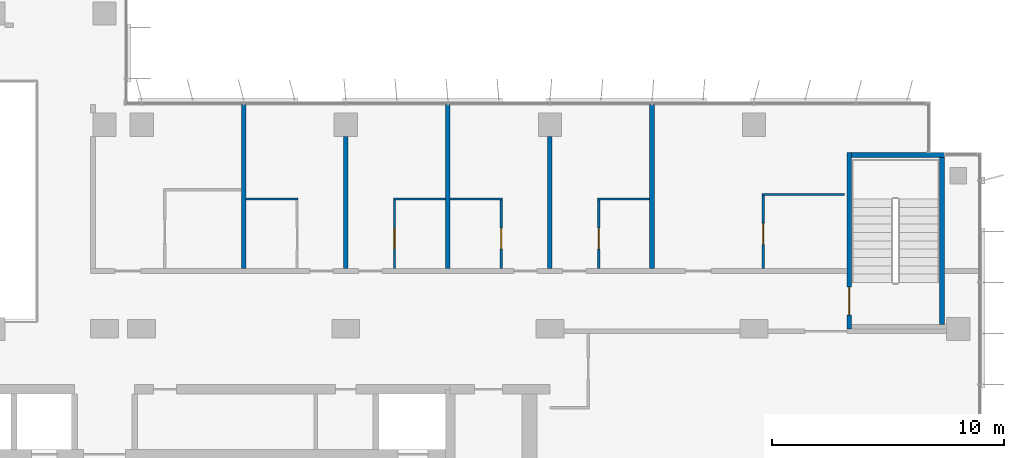
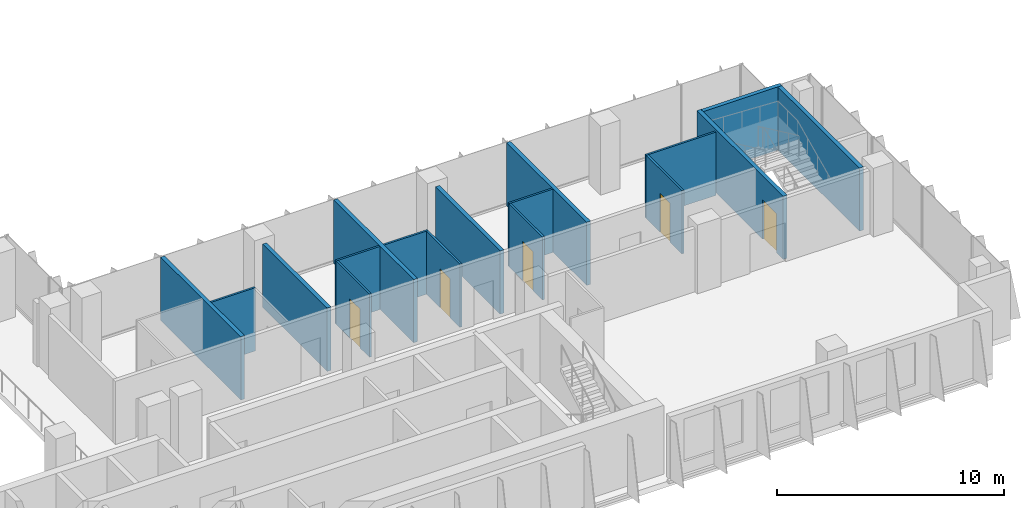
# One storey, part 15 of 21: 17 walls, 5 doors, 5 openings.
"""IFC4 building model written with IfcOpenShell, lengths in metres."""

from ifc_helpers import new_model, si_unit, direction, frame, frame_2d, origin, place, context, subcontext, project, spatial, rectangle, extrude, material, layer, layer_set, type_object, element, fill, save


model = new_model("IFC4")

# Units and contexts
model_context = context("Model", 3, precision=1e-05, world=origin(), true_north=direction((0.0, 1.0)))
body_context = subcontext(model_context, "Body", "Model", "MODEL_VIEW")
ifc_project = project(units=[si_unit("LENGTHUNIT", "METRE"), si_unit("AREAUNIT", "SQUARE_METRE"), si_unit("VOLUMEUNIT", "CUBIC_METRE"), si_unit("PLANEANGLEUNIT", "RADIAN"), si_unit("MASSUNIT", "GRAM", prefix="KILO")], contexts=[model_context])

# Site, building, storey
site_placement = place(None, origin())
site = spatial("IfcSite", under=ifc_project, at=site_placement, CompositionType="ELEMENT")
building_placement = place(site_placement, origin())
building = spatial("IfcBuilding", under=site, at=building_placement, Name="Kemantara Hotel Tower", CompositionType="ELEMENT")
storey_placement = place(building_placement, frame((0.0, 0.0, 182.699951171875)))
storey = spatial("IfcBuildingStorey", under=building, at=storey_placement, Name="L45", CompositionType="ELEMENT", Elevation=182.699951171875)

# Wall, opening, door
ifc_material_1 = material(Name="Concrete fc 40 MPa", Category="concrete")
ifc_layer_1 = layer(ifc_material_1, 0.199951171875)
ifc_layer_set_1 = layer_set([ifc_layer_1], Name="Concrete fc 40 MPa")
wall_type_1 = type_object("IfcWallType", Name="Concrete stair wall 200 mm", PredefinedType="SHEAR", material=ifc_layer_set_1)
wall_1_placement = place(storey_placement, frame((57.89990234375, 12.199951171875, 0.0), z_axis=(0.0, 0.0, 1.0), x_axis=(0.0, 1.0, 0.0)))
wall_1 = element("IfcWall", 1, at=wall_1_placement, inside=storey, type_object=wall_type_1, Name="Stair ST3 enclosure wall with door", PredefinedType="SHEAR", context=body_context, shape_type="SweptSolid", body=[
    extrude(rectangle(XDim=7.60009765625, YDim=0.199951171875, at=frame_2d((3.800048828125, 0.0))), origin(), (0.0, 0.0, 1.0), 3.400146484375),
])
opening_1_placement = place(wall_1_placement, frame((0.60009765625, 0.0, 0.0)))
opening_1 = element("IfcOpeningElement", 2, at=opening_1_placement, cuts=wall_1, Name="Opening ST3-C", PredefinedType="OPENING", context=body_context, shape_type="SweptSolid", body=[
    extrude(rectangle(XDim=1.199951171875, YDim=2.10009765625, at=frame_2d((0.60009765625, 1.050048828125))), frame((0.0, 0.10986328125, 0.0), z_axis=(0.0, -1.0, 0.0), x_axis=(1.0, 0.0, 0.0)), (0.0, 0.0, 1.0), 0.219970703125),
])
ifc_material_2 = material(Name="Steel fire door", Category="steel")
door_type_1 = type_object("IfcDoorType", Name="Fire door FD90 1200 x 2100", OperationType="NOTDEFINED", PredefinedType="DOOR", material=ifc_material_2)
door_1_placement = place(opening_1_placement, frame((1.199951171875, 0.0, 0.0), z_axis=(0.0, 0.0, 1.0), x_axis=(-1.0, 0.0, 0.0)))
door_1 = element("IfcDoor", 3, at=door_1_placement, inside=storey, type_object=door_type_1, Name="Stair ST3 door", OperationType="SINGLE_SWING_RIGHT", OverallHeight=2.10009765625, OverallWidth=1.199951171875, PredefinedType="DOOR", context=body_context, shape_type="SweptSolid", body=[
    extrude(rectangle(XDim=1.199951171875, YDim=2.10009765625, at=frame_2d((0.60009765625, 1.050048828125))), frame((0.0, 0.02490234375, 0.0), z_axis=(0.0, -1.0, 0.0), x_axis=(1.0, 0.0, 0.0)), (0.0, 0.0, 1.0), 0.050048828125),
])
fill(opening_1, door_1)

# Walls
wall_2_placement = place(storey_placement, frame((58.0, 19.699951171875, 0.0), z_axis=(0.0, 0.0, 1.0), x_axis=(1.0, 0.0, 0.0)))
element("IfcWall", 4, at=wall_2_placement, inside=storey, type_object=wall_type_1, Name="Stair ST3 enclosure wall N", PredefinedType="SHEAR", context=body_context, shape_type="SweptSolid", body=[
    extrude(rectangle(XDim=4.0, YDim=0.199951171875, at=frame_2d((2.0, 0.0))), origin(), (0.0, 0.0, 1.0), 3.400146484375),
])
wall_3_placement = place(storey_placement, frame((61.89990234375, 12.39990234375, 0.0), z_axis=(0.0, 0.0, 1.0), x_axis=(0.0, 1.0, 0.0)))
element("IfcWall", 5, at=wall_3_placement, inside=storey, type_object=wall_type_1, Name="Stair ST3 enclosure wall E", PredefinedType="SHEAR", context=body_context, shape_type="SweptSolid", body=[
    extrude(rectangle(XDim=7.2001953125, YDim=0.199951171875, at=frame_2d((3.60009765625, 0.0))), origin(), (0.0, 0.0, 1.0), 3.400146484375),
])
ifc_material_3 = material(Name="Gypsum board partition, steel studs and mineral wool, 200 mm", Category="steel")
ifc_layer_2 = layer(ifc_material_3, 0.199951171875)
ifc_layer_set_2 = layer_set([ifc_layer_2], Name="Gypsum board partition, steel studs and mineral wool, 200 mm")
wall_type_2 = type_object("IfcWallType", Name="GUEST ROOM PARTY WALL 200", PredefinedType="PARTITIONING", material=ifc_layer_set_2)
wall_4_placement = place(storey_placement, frame((31.800048828125, 14.800048828125, 0.0), z_axis=(0.0, 0.0, 1.0), x_axis=(0.0, 1.0, 0.0)))
element("IfcWall", 6, at=wall_4_placement, inside=storey, type_object=wall_type_2, Name="GUEST ROOM PARTY WALL 200 007", PredefinedType="PARTITIONING", context=body_context, shape_type="SweptSolid", body=[
    extrude(rectangle(XDim=7.070068359375, YDim=0.199951171875, at=frame_2d((3.53515625, 0.0))), origin(), (0.0, 0.0, 1.0), 3.400146484375),
])
wall_5_placement = place(storey_placement, frame((36.199951171875, 14.800048828125, 0.0), z_axis=(0.0, 0.0, 1.0), x_axis=(0.0, 1.0, 0.0)))
element("IfcWall", 7, at=wall_5_placement, inside=storey, type_object=wall_type_2, Name="GUEST ROOM PARTY WALL 200 008", PredefinedType="PARTITIONING", context=body_context, shape_type="SweptSolid", body=[
    extrude(rectangle(XDim=5.699951171875, YDim=0.199951171875, at=frame_2d((2.85009765625, 0.0))), origin(), (0.0, 0.0, 1.0), 3.400146484375),
])
wall_6_placement = place(storey_placement, frame((40.60009765625, 14.800048828125, 0.0), z_axis=(0.0, 0.0, 1.0), x_axis=(0.0, 1.0, 0.0)))
element("IfcWall", 8, at=wall_6_placement, inside=storey, type_object=wall_type_2, Name="GUEST ROOM PARTY WALL 200 009", PredefinedType="PARTITIONING", context=body_context, shape_type="SweptSolid", body=[
    extrude(rectangle(XDim=7.070068359375, YDim=0.199951171875, at=frame_2d((3.53515625, 0.0))), origin(), (0.0, 0.0, 1.0), 3.400146484375),
])
wall_7_placement = place(storey_placement, frame((45.0, 14.800048828125, 0.0), z_axis=(0.0, 0.0, 1.0), x_axis=(0.0, 1.0, 0.0)))
element("IfcWall", 9, at=wall_7_placement, inside=storey, type_object=wall_type_2, Name="GUEST ROOM PARTY WALL 200 010", PredefinedType="PARTITIONING", context=body_context, shape_type="SweptSolid", body=[
    extrude(rectangle(XDim=5.699951171875, YDim=0.199951171875, at=frame_2d((2.85009765625, 0.0))), origin(), (0.0, 0.0, 1.0), 3.400146484375),
])
wall_8_placement = place(storey_placement, frame((49.39990234375, 14.800048828125, 0.0), z_axis=(0.0, 0.0, 1.0), x_axis=(0.0, 1.0, 0.0)))
element("IfcWall", 10, at=wall_8_placement, inside=storey, type_object=wall_type_2, Name="GUEST ROOM PARTY WALL 200 011", PredefinedType="PARTITIONING", context=body_context, shape_type="SweptSolid", body=[
    extrude(rectangle(XDim=7.070068359375, YDim=0.199951171875, at=frame_2d((3.53515625, 0.0))), origin(), (0.0, 0.0, 1.0), 3.400146484375),
])
ifc_material_4 = material(Name="Gypsum board partition on steel studs, 100 mm", Category="steel")
ifc_layer_3 = layer(ifc_material_4, 0.10009765625)
ifc_layer_set_3 = layer_set([ifc_layer_3], Name="Gypsum board partition on steel studs, 100 mm")
wall_type_3 = type_object("IfcWallType", Name="ROOM PARTITION 100", PredefinedType="PARTITIONING", material=ifc_layer_set_3)
for number, where, z_axis, x_axis, name in (
    (11, (31.89990234375, 17.800048828125, 0.0), (0.0, 0.0, 1.0), (1.0, 0.0, 0.0), "ROOM PARTITION 100 038"),
    (12, (38.25, 17.800048828125, 0.0), (0.0, 0.0, 1.0), (1.0, 0.0, 0.0), "ROOM PARTITION 100 039"),
    (13, (40.699951171875, 17.800048828125, 0.0), (0.0, 0.0, 1.0), (1.0, 0.0, 0.0), "ROOM PARTITION 100 040"),
    (14, (47.050048828125, 17.800048828125, 0.0), (0.0, 0.0, 1.0), (1.0, 0.0, 0.0), "ROOM PARTITION 100 041"),
):
    element("IfcWall", number, at=place(storey_placement, frame(where, z_axis=z_axis, x_axis=x_axis)), inside=storey, type_object=wall_type_3, Name=name, PredefinedType="PARTITIONING", context=body_context, shape_type="SweptSolid", body=[
        extrude(rectangle(XDim=2.25, YDim=0.10009765625, at=frame_2d((1.125, 0.0))), origin(), (0.0, 0.0, 1.0), 3.400146484375),
    ])

# Wall, opening, door
wall_9_placement = place(storey_placement, frame((38.300048828125, 17.75, 0.0), z_axis=(0.0, 0.0, 1.0), x_axis=(0.0, -1.0, 0.0)))
wall_9 = element("IfcWall", 15, at=wall_9_placement, inside=storey, type_object=wall_type_3, Name="ROOM PARTITION 100 043", PredefinedType="PARTITIONING", context=body_context, shape_type="SweptSolid", body=[
    extrude(rectangle(XDim=2.949951171875, YDim=0.10009765625, at=frame_2d((1.47509765625, 0.0))), origin(), (0.0, 0.0, 1.0), 3.400146484375),
])
opening_2_placement = place(wall_9_placement, frame((1.199951171875, 0.0, 0.0)))
opening_2 = element("IfcOpeningElement", 16, at=opening_2_placement, cuts=wall_9, Name="Opening F21-008", PredefinedType="OPENING", context=body_context, shape_type="SweptSolid", body=[
    extrude(rectangle(XDim=0.89990234375, YDim=2.10009765625, at=frame_2d((0.449951171875, 1.050048828125))), frame((0.0, 0.06005859375, 0.0), z_axis=(0.0, -1.0, 0.0), x_axis=(1.0, 0.0, 0.0)), (0.0, 0.0, 1.0), 0.1201171875),
])
ifc_material_5 = material(Name="Hardwood veneer door leaf with steel frame", Category="steel")
door_type_2 = type_object("IfcDoorType", Name="BATHROOM DOOR 900 X 2100", OperationType="NOTDEFINED", PredefinedType="DOOR", material=ifc_material_5)
door_2_placement = place(opening_2_placement, origin())
door_2 = element("IfcDoor", 17, at=door_2_placement, inside=storey, type_object=door_type_2, Name="BATHROOM DOOR F21-008", OperationType="SINGLE_SWING_RIGHT", OverallHeight=2.10009765625, OverallWidth=0.89990234375, PredefinedType="DOOR", context=body_context, shape_type="SweptSolid", body=[
    extrude(rectangle(XDim=0.89990234375, YDim=2.10009765625, at=frame_2d((0.449951171875, 1.050048828125))), frame((0.0, 0.02490234375, 0.0), z_axis=(0.0, -1.0, 0.0), x_axis=(1.0, 0.0, 0.0)), (0.0, 0.0, 1.0), 0.050048828125),
])
fill(opening_2, door_2)

wall_10_placement = place(storey_placement, frame((42.89990234375, 14.800048828125, 0.0), z_axis=(0.0, 0.0, 1.0), x_axis=(0.0, 1.0, 0.0)))
wall_10 = element("IfcWall", 18, at=wall_10_placement, inside=storey, type_object=wall_type_3, Name="ROOM PARTITION 100 044", PredefinedType="PARTITIONING", context=body_context, shape_type="SweptSolid", body=[
    extrude(rectangle(XDim=2.949951171875, YDim=0.10009765625, at=frame_2d((1.47509765625, 0.0))), origin(), (0.0, 0.0, 1.0), 3.400146484375),
])
opening_3_placement = place(wall_10_placement, frame((0.85009765625, 0.0, 0.0)))
opening_3 = element("IfcOpeningElement", 19, at=opening_3_placement, cuts=wall_10, Name="Opening F21-010", PredefinedType="OPENING", context=body_context, shape_type="SweptSolid", body=[
    extrude(rectangle(XDim=0.89990234375, YDim=2.10009765625, at=frame_2d((0.449951171875, 1.050048828125))), frame((0.0, 0.06005859375, 0.0), z_axis=(0.0, -1.0, 0.0), x_axis=(1.0, 0.0, 0.0)), (0.0, 0.0, 1.0), 0.1201171875),
])
door_3_placement = place(opening_3_placement, origin())
door_3 = element("IfcDoor", 20, at=door_3_placement, inside=storey, type_object=door_type_2, Name="BATHROOM DOOR F21-010", OperationType="SINGLE_SWING_LEFT", OverallHeight=2.10009765625, OverallWidth=0.89990234375, PredefinedType="DOOR", context=body_context, shape_type="SweptSolid", body=[
    extrude(rectangle(XDim=0.89990234375, YDim=2.10009765625, at=frame_2d((0.449951171875, 1.050048828125))), frame((0.0, 0.02490234375, 0.0), z_axis=(0.0, -1.0, 0.0), x_axis=(1.0, 0.0, 0.0)), (0.0, 0.0, 1.0), 0.050048828125),
])
fill(opening_3, door_3)

wall_11_placement = place(storey_placement, frame((47.10009765625, 17.75, 0.0), z_axis=(0.0, 0.0, 1.0), x_axis=(0.0, -1.0, 0.0)))
wall_11 = element("IfcWall", 21, at=wall_11_placement, inside=storey, type_object=wall_type_3, Name="ROOM PARTITION 100 045", PredefinedType="PARTITIONING", context=body_context, shape_type="SweptSolid", body=[
    extrude(rectangle(XDim=2.949951171875, YDim=0.10009765625, at=frame_2d((1.47509765625, 0.0))), origin(), (0.0, 0.0, 1.0), 3.400146484375),
])
opening_4_placement = place(wall_11_placement, frame((1.199951171875, 0.0, 0.0)))
opening_4 = element("IfcOpeningElement", 22, at=opening_4_placement, cuts=wall_11, Name="Opening F21-012", PredefinedType="OPENING", context=body_context, shape_type="SweptSolid", body=[
    extrude(rectangle(XDim=0.89990234375, YDim=2.10009765625, at=frame_2d((0.449951171875, 1.050048828125))), frame((0.0, 0.06005859375, 0.0), z_axis=(0.0, -1.0, 0.0), x_axis=(1.0, 0.0, 0.0)), (0.0, 0.0, 1.0), 0.1201171875),
])
door_4_placement = place(opening_4_placement, origin())
door_4 = element("IfcDoor", 23, at=door_4_placement, inside=storey, type_object=door_type_2, Name="BATHROOM DOOR F21-012", OperationType="SINGLE_SWING_RIGHT", OverallHeight=2.10009765625, OverallWidth=0.89990234375, PredefinedType="DOOR", context=body_context, shape_type="SweptSolid", body=[
    extrude(rectangle(XDim=0.89990234375, YDim=2.10009765625, at=frame_2d((0.449951171875, 1.050048828125))), frame((0.0, 0.02490234375, 0.0), z_axis=(0.0, -1.0, 0.0), x_axis=(1.0, 0.0, 0.0)), (0.0, 0.0, 1.0), 0.050048828125),
])
fill(opening_4, door_4)

# Wall
wall_12_placement = place(storey_placement, frame((54.14990234375, 18.0, 0.0), z_axis=(0.0, 0.0, 1.0), x_axis=(1.0, 0.0, 0.0)))
element("IfcWall", 24, at=wall_12_placement, inside=storey, type_object=wall_type_3, Name="ROOM PARTITION 100 046", PredefinedType="PARTITIONING", context=body_context, shape_type="SweptSolid", body=[
    extrude(rectangle(XDim=3.550048828125, YDim=0.10009765625, at=frame_2d((1.77490234375, 0.0))), origin(), (0.0, 0.0, 1.0), 3.400146484375),
])

# Wall, opening, door
wall_13_placement = place(storey_placement, frame((54.199951171875, 17.949951171875, 0.0), z_axis=(0.0, 0.0, 1.0), x_axis=(0.0, -1.0, 0.0)))
wall_13 = element("IfcWall", 25, at=wall_13_placement, inside=storey, type_object=wall_type_3, Name="ROOM PARTITION 100 047", PredefinedType="PARTITIONING", context=body_context, shape_type="SweptSolid", body=[
    extrude(rectangle(XDim=3.14990234375, YDim=0.10009765625, at=frame_2d((1.574951171875, 0.0))), origin(), (0.0, 0.0, 1.0), 3.400146484375),
])
opening_5_placement = place(wall_13_placement, frame((1.199951171875, 0.0, 0.0)))
opening_5 = element("IfcOpeningElement", 26, at=opening_5_placement, cuts=wall_13, Name="Opening F21-014", PredefinedType="OPENING", context=body_context, shape_type="SweptSolid", body=[
    extrude(rectangle(XDim=0.89990234375, YDim=2.10009765625, at=frame_2d((0.449951171875, 1.050048828125))), frame((0.0, 0.06005859375, 0.0), z_axis=(0.0, -1.0, 0.0), x_axis=(1.0, 0.0, 0.0)), (0.0, 0.0, 1.0), 0.1201171875),
])
door_5_placement = place(opening_5_placement, origin())
door_5 = element("IfcDoor", 27, at=door_5_placement, inside=storey, type_object=door_type_2, Name="BATHROOM DOOR F21-014", OperationType="SINGLE_SWING_RIGHT", OverallHeight=2.10009765625, OverallWidth=0.89990234375, PredefinedType="DOOR", context=body_context, shape_type="SweptSolid", body=[
    extrude(rectangle(XDim=0.89990234375, YDim=2.10009765625, at=frame_2d((0.449951171875, 1.050048828125))), frame((0.0, 0.02490234375, 0.0), z_axis=(0.0, -1.0, 0.0), x_axis=(1.0, 0.0, 0.0)), (0.0, 0.0, 1.0), 0.050048828125),
])
fill(opening_5, door_5)

save(model, "model.ifc")
